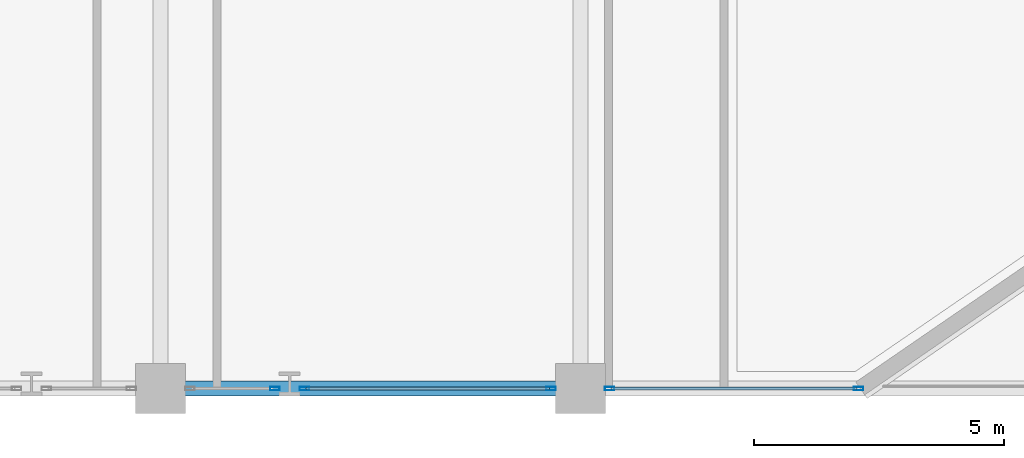
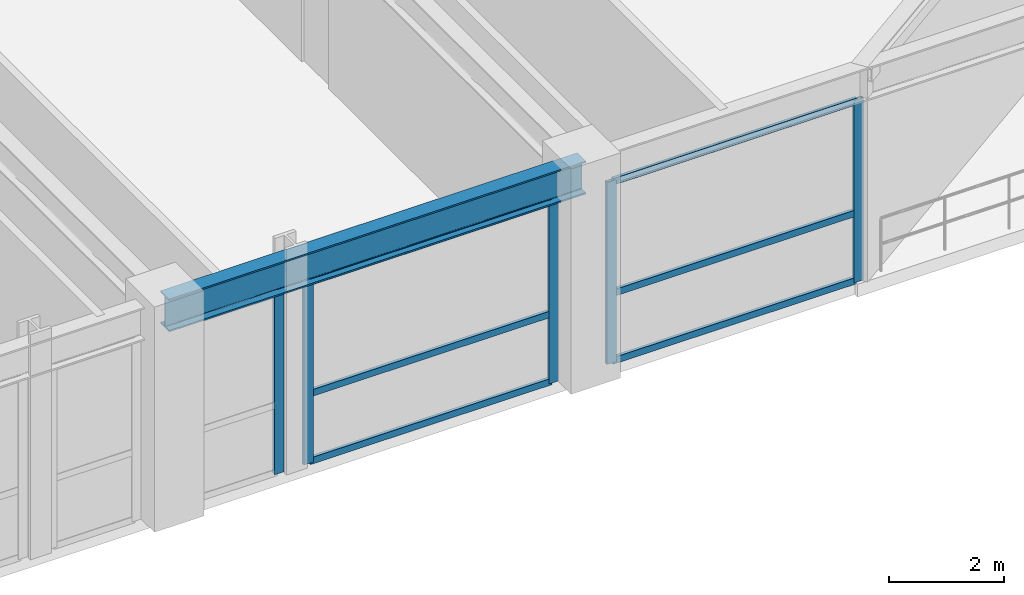
# One storey, part 5 of 26: 11 members, 1 beam, 3 elements without a shape of their own.
"""IFC4 building model written with IfcOpenShell, lengths in metres."""

from ifc_helpers import new_model, si_unit, derived_unit, direction, frame, origin, origin_2d, place, context, subcontext, project, spatial, hollow_rectangle, i_section, extrude, source, transform, mapped, material, layer, layer_set, material_profile, profile_set, type_object, element, aggregate, save


model = new_model("IFC4")

# Units and contexts
model_context = context("Model", 3, precision=1e-05, world=origin(), true_north=direction((0.0, 1.0)))
body_context = subcontext(model_context, "Body", "Model", "MODEL_VIEW")
ifc_project = project(units=[si_unit("LENGTHUNIT", "METRE"), si_unit("AREAUNIT", "SQUARE_METRE"), si_unit("VOLUMEUNIT", "CUBIC_METRE"), si_unit("PLANEANGLEUNIT", "RADIAN"), si_unit("MASSUNIT", "GRAM", prefix="KILO"), derived_unit("THERMALTRANSMITTANCEUNIT", [(si_unit("POWERUNIT", "WATT"), 1), (si_unit("LENGTHUNIT", "METRE"), -2), (si_unit("THERMODYNAMICTEMPERATUREUNIT", "KELVIN"), -1)])], contexts=[model_context])

# Site, building, storey
site_placement = place(None, origin())
site = spatial("IfcSite", under=ifc_project, at=site_placement, CompositionType="ELEMENT")
building_placement = place(site_placement, origin())
building = spatial("IfcBuilding", under=site, at=building_placement, Name="Korsvarv Bourse and Concert Hall", CompositionType="ELEMENT")
storey_placement = place(building_placement, frame((0.0, 0.0, 19.199951171875)))
storey = spatial("IfcBuildingStorey", under=building, at=storey_placement, Name="L04", CompositionType="ELEMENT", Elevation=19.199951171875)

# Beam
ifc_material_1 = material(Name="Steel S355", Category="steel")
ifc_material_profile_1 = material_profile(ifc_material_1, i_section(OverallWidth=0.300048828125, OverallDepth=0.699951171875, WebThickness=0.01708984375, FlangeThickness=0.031982421875, FilletRadius=0.027099609375, at=origin_2d()), Name="HEB 700")
ifc_profile_set_1 = profile_set([ifc_material_profile_1], Name="Steel S355")
beam_type = type_object("IfcBeamType", Name="BM-HEB700", PredefinedType="BEAM", material=ifc_profile_set_1)
shared_shape_1 = source(origin(), body_context, "Body", "SweptSolid", [
    extrude(i_section(OverallWidth=0.300048828125, OverallDepth=0.699951171875, WebThickness=0.01708984375, FlangeThickness=0.031982421875, FilletRadius=0.027099609375, at=origin_2d()), origin(), (0.0, 0.0, 1.0), 8.39990234375),
])
beam_placement = place(storey_placement, frame((36.0, 3.0, 4.22998046875), z_axis=(1.0, 0.0, 0.0), x_axis=(0.0, 1.0, 0.0)))
element("IfcBeam", 1, at=beam_placement, inside=storey, type_object=beam_type, Name="L04 beam B-03", PredefinedType="BEAM", context=body_context, shape_type="MappedRepresentation", body=[
    mapped(shared_shape_1, transform((0.0, 0.0, 0.0), scale=1.0)),
])

# Curtain wall, member
ifc_material_2 = material(Name="Anodised aluminium and triple low-E glazing", Category="glass")
ifc_layer = layer(ifc_material_2, 0.239990234375)
ifc_layer_set = layer_set([ifc_layer], Name="Anodised aluminium and triple low-E glazing")
curtain_wall_type = type_object("IfcCurtainWallType", Name="CW-SYS-5", PredefinedType="NOTDEFINED", material=ifc_layer_set)
curtain_wall_1_placement = place(storey_placement, origin())
curtain_wall_1 = element("IfcCurtainWall", 2, at=curtain_wall_1_placement, inside=storey, type_object=curtain_wall_type, Name="L04 CW5 curtain wall CW-L04-G2-4", PredefinedType="NOTDEFINED")
ifc_material_3 = material(Name="Extruded aluminium EN AW-6063 T66", Category="aluminium")
ifc_material_profile_2 = material_profile(ifc_material_3, hollow_rectangle(XDim=0.070068359375, YDim=0.18994140625, WallThickness=0.0048828125, at=origin_2d()), Name="ALU-M 70x190")
ifc_profile_set_2 = profile_set([ifc_material_profile_2], Name="Extruded aluminium EN AW-6063 T66")
member_type_1 = type_object("IfcMemberType", Name="CWM-190", PredefinedType="MULLION", material=ifc_profile_set_2)
shared_shape_2 = source(origin(), body_context, "Body", "SweptSolid", [
    extrude(hollow_rectangle(XDim=0.070068359375, YDim=0.18994140625, WallThickness=0.0048828125, at=origin_2d()), origin(), (0.0, 0.0, 1.0), 3.880126953125),
])
member_1_placement = place(storey_placement, frame((38.284912109375, 3.0, 0.0), z_axis=(0.0, 0.0, 1.0), x_axis=(0.0, 1.0, 0.0)))
member_1 = element("IfcMember", 3, at=member_1_placement, type_object=member_type_1, Name="CW5 mullion 2", PredefinedType="MULLION", context=body_context, shape_type="MappedRepresentation", body=[
    mapped(shared_shape_2, transform((0.0, 0.0, 0.0), scale=1.0)),
])
aggregate(curtain_wall_1, [member_1])

# Curtain wall, members
curtain_wall_2_placement = place(storey_placement, origin())
curtain_wall_2 = element("IfcCurtainWall", 4, at=curtain_wall_2_placement, inside=storey, type_object=curtain_wall_type, Name="L04 CW5 curtain wall CW-L04-G2-5", PredefinedType="NOTDEFINED")
member_2_placement = place(storey_placement, frame((38.87890625, 3.0, 0.0), z_axis=(0.0, 0.0, 1.0), x_axis=(0.0, 1.0, 0.0)))
member_2 = element("IfcMember", 5, at=member_2_placement, type_object=member_type_1, Name="CW5 mullion 1", PredefinedType="MULLION", context=body_context, shape_type="MappedRepresentation", body=[
    mapped(shared_shape_2, transform((0.0, 0.0, 0.0), scale=1.0)),
])
member_3_placement = place(storey_placement, frame((43.81494140625, 3.0, 0.0), z_axis=(0.0, 0.0, 1.0), x_axis=(0.0, 1.0, 0.0)))
member_3 = element("IfcMember", 6, at=member_3_placement, type_object=member_type_1, Name="CW5 mullion 2", PredefinedType="MULLION", context=body_context, shape_type="MappedRepresentation", body=[
    mapped(shared_shape_2, transform((0.0, 0.0, 0.0), scale=1.0)),
])

curtain_wall_3_placement = place(storey_placement, origin())
curtain_wall_3 = element("IfcCurtainWall", 7, at=curtain_wall_3_placement, inside=storey, type_object=curtain_wall_type, Name="L04 CW5 curtain wall CW-L04-G2-6", PredefinedType="NOTDEFINED")
member_4_placement = place(storey_placement, frame((44.985107421875, 3.0, 0.0), z_axis=(0.0, 0.0, 1.0), x_axis=(0.0, 1.0, 0.0)))
member_4 = element("IfcMember", 8, at=member_4_placement, type_object=member_type_1, Name="CW5 mullion 1", PredefinedType="MULLION", context=body_context, shape_type="MappedRepresentation", body=[
    mapped(shared_shape_2, transform((0.0, 0.0, 0.0), scale=1.0)),
])
member_5_placement = place(storey_placement, frame((49.965087890625, 3.0, 0.0), z_axis=(0.0, 0.0, 1.0), x_axis=(0.0, 1.0, 0.0)))
member_5 = element("IfcMember", 9, at=member_5_placement, type_object=member_type_1, Name="CW5 mullion 2", PredefinedType="MULLION", context=body_context, shape_type="MappedRepresentation", body=[
    mapped(shared_shape_2, transform((0.0, 0.0, 0.0), scale=1.0)),
])
ifc_material_profile_3 = material_profile(ifc_material_3, hollow_rectangle(XDim=0.06494140625, YDim=0.139892578125, WallThickness=0.00390625, at=origin_2d()), Name="ALU-T 65x140")
ifc_profile_set_3 = profile_set([ifc_material_profile_3], Name="Extruded aluminium EN AW-6063 T66")
member_type_2 = type_object("IfcMemberType", Name="CWT-140", PredefinedType="USERDEFINED", material=ifc_profile_set_3)
shared_shape_3 = source(origin(), body_context, "Body", "SweptSolid", [
    extrude(hollow_rectangle(XDim=0.06494140625, YDim=0.139892578125, WallThickness=0.00390625, at=origin_2d()), origin(), (0.0, 0.0, 1.0), 4.909912109375),
])
member_6_placement = place(storey_placement, frame((45.02001953125, 3.0, 0.032470703125), z_axis=(1.0, 0.0, 0.0), x_axis=(0.0, 1.0, 0.0)))
member_6 = element("IfcMember", 10, at=member_6_placement, type_object=member_type_2, Name="CW5 transom 1.1", ObjectType="TRANSOM", PredefinedType="USERDEFINED", context=body_context, shape_type="MappedRepresentation", body=[
    mapped(shared_shape_3, transform((0.0, 0.0, 0.0), scale=1.0)),
])
member_7_placement = place(storey_placement, frame((45.02001953125, 3.0, 1.474365234375), z_axis=(1.0, 0.0, 0.0), x_axis=(0.0, 1.0, 0.0)))
member_7 = element("IfcMember", 11, at=member_7_placement, type_object=member_type_2, Name="CW5 transom 1.2", ObjectType="TRANSOM", PredefinedType="USERDEFINED", context=body_context, shape_type="MappedRepresentation", body=[
    mapped(shared_shape_3, transform((0.0, 0.0, 0.0), scale=1.0)),
])
member_8_placement = place(storey_placement, frame((45.02001953125, 3.0, 3.84765625), z_axis=(1.0, 0.0, 0.0), x_axis=(0.0, 1.0, 0.0)))
member_8 = element("IfcMember", 12, at=member_8_placement, type_object=member_type_2, Name="CW5 transom 1.3", ObjectType="TRANSOM", PredefinedType="USERDEFINED", context=body_context, shape_type="MappedRepresentation", body=[
    mapped(shared_shape_3, transform((0.0, 0.0, 0.0), scale=1.0)),
])
aggregate(curtain_wall_3, [member_4, member_5, member_6, member_7, member_8])

# Member
shared_shape_4 = source(origin(), body_context, "Body", "SweptSolid", [
    extrude(hollow_rectangle(XDim=0.06494140625, YDim=0.139892578125, WallThickness=0.00390625, at=origin_2d()), origin(), (0.0, 0.0, 1.0), 4.8662109375),
])
member_9_placement = place(storey_placement, frame((38.913818359375, 3.0, 0.032470703125), z_axis=(1.0, 0.0, 0.0), x_axis=(0.0, 1.0, 0.0)))
member_9 = element("IfcMember", 13, at=member_9_placement, type_object=member_type_2, Name="CW5 transom 1.1", ObjectType="TRANSOM", PredefinedType="USERDEFINED", context=body_context, shape_type="MappedRepresentation", body=[
    mapped(shared_shape_4, transform((0.0, 0.0, 0.0), scale=1.0)),
])

member_10_placement = place(storey_placement, frame((38.913818359375, 3.0, 1.474365234375), z_axis=(1.0, 0.0, 0.0), x_axis=(0.0, 1.0, 0.0)))
member_10 = element("IfcMember", 14, at=member_10_placement, type_object=member_type_2, Name="CW5 transom 1.2", ObjectType="TRANSOM", PredefinedType="USERDEFINED", context=body_context, shape_type="MappedRepresentation", body=[
    mapped(shared_shape_4, transform((0.0, 0.0, 0.0), scale=1.0)),
])

member_11_placement = place(storey_placement, frame((38.913818359375, 3.0, 3.84765625), z_axis=(1.0, 0.0, 0.0), x_axis=(0.0, 1.0, 0.0)))
member_11 = element("IfcMember", 15, at=member_11_placement, type_object=member_type_2, Name="CW5 transom 1.3", ObjectType="TRANSOM", PredefinedType="USERDEFINED", context=body_context, shape_type="MappedRepresentation", body=[
    mapped(shared_shape_4, transform((0.0, 0.0, 0.0), scale=1.0)),
])

aggregate(curtain_wall_2, [member_2, member_3, member_9, member_10, member_11])

save(model, "model.ifc")
